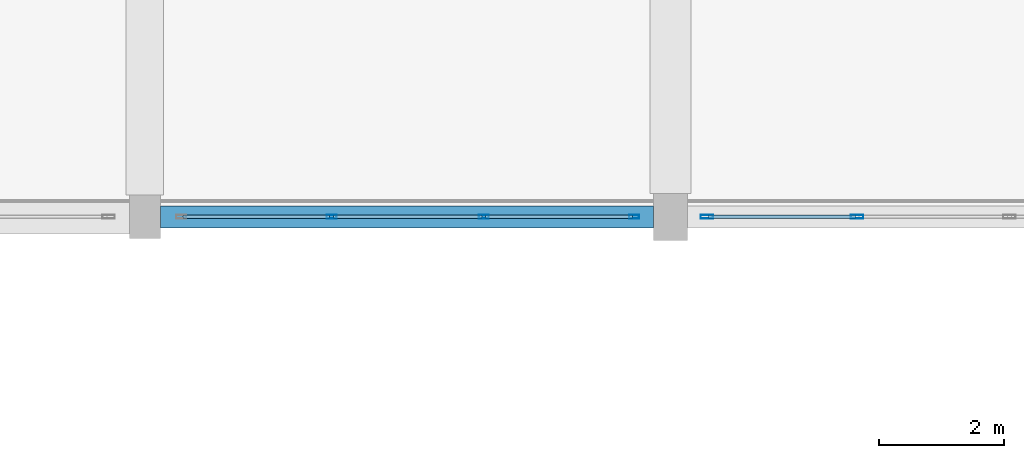
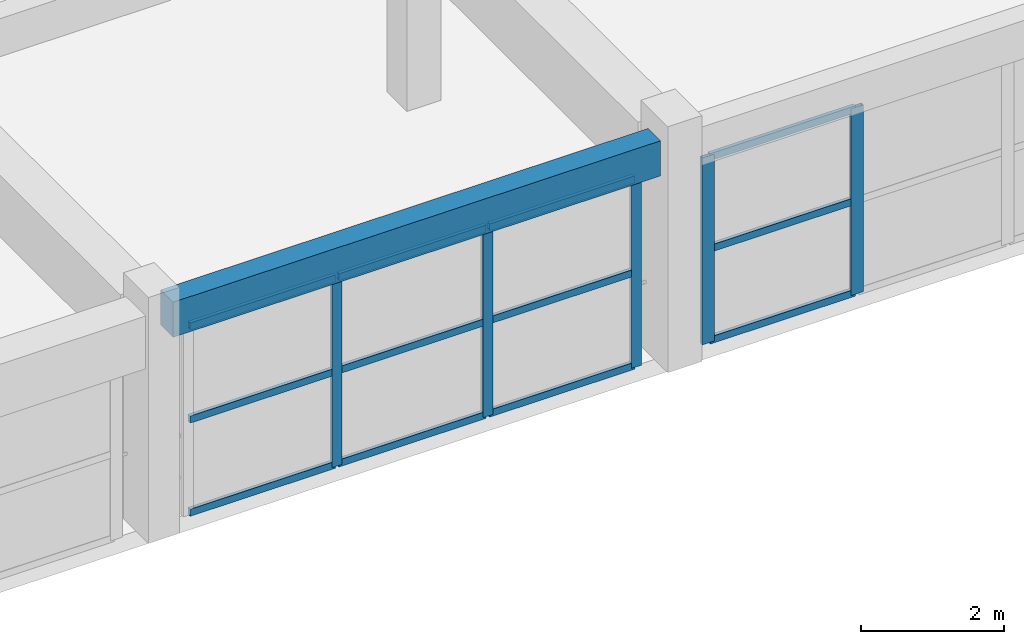
# One storey, part 16 of 74: 17 members, 1 beam, 2 elements without a shape of their own.
"""IFC4 building model written with IfcOpenShell, lengths in metres."""

from ifc_helpers import new_model, si_unit, direction, frame, origin, origin_2d, place, context, subcontext, project, spatial, rectangle, hollow_rectangle, extrude, material, material_profile, profile_set, type_object, element, aggregate, save


model = new_model("IFC4")

# Units and contexts
model_context = context("Model", 3, precision=1e-05, world=origin(), true_north=direction((0.0, 1.0)))
body_context = subcontext(model_context, "Body", "Model", "MODEL_VIEW")
ifc_project = project(units=[si_unit("LENGTHUNIT", "METRE"), si_unit("AREAUNIT", "SQUARE_METRE"), si_unit("VOLUMEUNIT", "CUBIC_METRE"), si_unit("PLANEANGLEUNIT", "RADIAN"), si_unit("MASSUNIT", "GRAM", prefix="KILO")], contexts=[model_context])

# Site, building, storey
site_placement = place(None, origin())
site = spatial("IfcSite", under=ifc_project, at=site_placement, CompositionType="ELEMENT")
building_placement = place(site_placement, origin())
building = spatial("IfcBuilding", under=site, at=building_placement, Name="Korsvaeld Concert Hall", CompositionType="ELEMENT")
storey_placement = place(building_placement, frame((0.0, 0.0, 9.0)))
storey = spatial("IfcBuildingStorey", under=building, at=storey_placement, Name="L02", CompositionType="ELEMENT", Elevation=9.0)

# Beam
ifc_material_1 = material(Name="Concrete C35/45", Category="concrete")
ifc_material_profile_1 = material_profile(ifc_material_1, rectangle(XDim=0.35009765625, YDim=0.60009765625, at=origin_2d()), Name="RC 350x600")
ifc_profile_set_1 = profile_set([ifc_material_profile_1], Name="Concrete C35/45")
beam_type = type_object("IfcBeamType", Name="BM-RC-350x600", PredefinedType="T_BEAM", material=ifc_profile_set_1)
beam_placement = place(storey_placement, frame((84.25, 28.800048828125, 3.5400390625), z_axis=(1.0, 0.0, 0.0), x_axis=(0.0, 1.0, 0.0)))
element("IfcBeam", 1, at=beam_placement, inside=storey, type_object=beam_type, Name="Primary girder 12-13/E L02", PredefinedType="T_BEAM", context=body_context, shape_type="SweptSolid", body=[
    extrude(rectangle(XDim=0.35009765625, YDim=0.60009765625, at=origin_2d()), origin(), (0.0, 0.0, 1.0), 7.875),
])

# Curtain wall, members
ifc_material_2 = material(Name="Anodised bronze and ceramic-fritted safety glass", Category="glass")
curtain_wall_type_1 = type_object("IfcCurtainWallType", Name="CW-TYPE-15", PredefinedType="USERDEFINED", material=ifc_material_2)
curtain_wall_1_placement = place(storey_placement, origin())
curtain_wall_1 = element("IfcCurtainWall", 2, at=curtain_wall_1_placement, inside=storey, type_object=curtain_wall_type_1, Name="Wintergarden foyer curtain wall L02-15", ObjectType="CURTAIN WALL", PredefinedType="USERDEFINED")
ifc_material_3 = material(Name="Anodised architectural bronze aluminium", Category="aluminium")
ifc_material_profile_2 = material_profile(ifc_material_3, hollow_rectangle(XDim=0.06005859375, YDim=0.159912109375, WallThickness=0.00390625, at=origin_2d()), Name="CWM 160x60x4")
ifc_profile_set_2 = profile_set([ifc_material_profile_2], Name="Anodised architectural bronze aluminium")
member_type_1 = type_object("IfcMemberType", Name="CWM-ALUM-160x60", PredefinedType="MULLION", material=ifc_profile_set_2)
member_1_placement = place(storey_placement, frame((91.820068359375, 28.800048828125, 0.0), z_axis=(0.0, 0.0, 1.0), x_axis=(0.0, -1.0, 0.0)))
member_1 = element("IfcMember", 3, at=member_1_placement, type_object=member_type_1, Name="CW-15 mullion 1", PredefinedType="MULLION", context=body_context, shape_type="SweptSolid", body=[
    extrude(hollow_rectangle(XDim=0.06005859375, YDim=0.159912109375, WallThickness=0.00390625, at=origin_2d()), origin(), (0.0, 0.0, 1.0), 3.239990234375),
])
member_2_placement = place(storey_placement, frame((89.416748046875, 28.800048828125, 0.0), z_axis=(0.0, 0.0, 1.0), x_axis=(0.0, -1.0, 0.0)))
member_2 = element("IfcMember", 4, at=member_2_placement, type_object=member_type_1, Name="CW-15 mullion 2", PredefinedType="MULLION", context=body_context, shape_type="SweptSolid", body=[
    extrude(hollow_rectangle(XDim=0.06005859375, YDim=0.159912109375, WallThickness=0.00390625, at=origin_2d()), origin(), (0.0, 0.0, 1.0), 3.239990234375),
])
member_3_placement = place(storey_placement, frame((86.9833984375, 28.800048828125, 0.0), z_axis=(0.0, 0.0, 1.0), x_axis=(0.0, -1.0, 0.0)))
member_3 = element("IfcMember", 5, at=member_3_placement, type_object=member_type_1, Name="CW-15 mullion 3", PredefinedType="MULLION", context=body_context, shape_type="SweptSolid", body=[
    extrude(hollow_rectangle(XDim=0.06005859375, YDim=0.159912109375, WallThickness=0.00390625, at=origin_2d()), origin(), (0.0, 0.0, 1.0), 3.239990234375),
])

curtain_wall_type_2 = type_object("IfcCurtainWallType", Name="CW-TYPE-14", PredefinedType="USERDEFINED", material=ifc_material_2)
curtain_wall_2_placement = place(storey_placement, origin())
curtain_wall_2 = element("IfcCurtainWall", 6, at=curtain_wall_2_placement, inside=storey, type_object=curtain_wall_type_2, Name="Wintergarden foyer curtain wall L02-14", ObjectType="CURTAIN WALL", PredefinedType="USERDEFINED")
ifc_material_profile_3 = material_profile(ifc_material_3, hollow_rectangle(XDim=0.06005859375, YDim=0.199951171875, WallThickness=0.0048828125, at=origin_2d()), Name="CWM 200x60x5")
ifc_profile_set_3 = profile_set([ifc_material_profile_3], Name="Anodised architectural bronze aluminium")
member_type_2 = type_object("IfcMemberType", Name="CWM-ALUM-200x60", PredefinedType="MULLION", material=ifc_profile_set_3)
member_4_placement = place(storey_placement, frame((95.38330078125, 28.800048828125, 0.0), z_axis=(0.0, 0.0, 1.0), x_axis=(0.0, -1.0, 0.0)))
member_4 = element("IfcMember", 7, at=member_4_placement, type_object=member_type_2, Name="CW-14 mullion 3", PredefinedType="MULLION", context=body_context, shape_type="SweptSolid", body=[
    extrude(hollow_rectangle(XDim=0.06005859375, YDim=0.199951171875, WallThickness=0.0048828125, at=origin_2d()), origin(), (0.0, 0.0, 1.0), 3.18994140625),
])
member_5_placement = place(storey_placement, frame((92.97998046875, 28.800048828125, 0.0), z_axis=(0.0, 0.0, 1.0), x_axis=(0.0, -1.0, 0.0)))
member_5 = element("IfcMember", 8, at=member_5_placement, type_object=member_type_2, Name="CW-14 mullion 4", PredefinedType="MULLION", context=body_context, shape_type="SweptSolid", body=[
    extrude(hollow_rectangle(XDim=0.06005859375, YDim=0.199951171875, WallThickness=0.0048828125, at=origin_2d()), origin(), (0.0, 0.0, 1.0), 3.18994140625),
])
ifc_material_profile_4 = material_profile(ifc_material_3, hollow_rectangle(XDim=0.06005859375, YDim=0.1201171875, WallThickness=0.00390625, at=origin_2d()), Name="CWT 120x60x4")
ifc_profile_set_4 = profile_set([ifc_material_profile_4], Name="Anodised architectural bronze aluminium")
member_type_3 = type_object("IfcMemberType", Name="CWT-ALUM-120x60", PredefinedType="USERDEFINED", material=ifc_profile_set_4)
member_6_placement = place(storey_placement, frame((95.353271484375, 28.800048828125, 0.030029296875), z_axis=(-1.0, 0.0, 0.0), x_axis=(0.0, -1.0, 0.0)))
member_6 = element("IfcMember", 9, at=member_6_placement, type_object=member_type_3, Name="CW-14 transom 3.1", ObjectType="TRANSOM", PredefinedType="USERDEFINED", context=body_context, shape_type="SweptSolid", body=[
    extrude(hollow_rectangle(XDim=0.06005859375, YDim=0.1201171875, WallThickness=0.00390625, at=origin_2d()), origin(), (0.0, 0.0, 1.0), 2.34326171875),
])
member_7_placement = place(storey_placement, frame((95.353271484375, 28.800048828125, 1.594970703125), z_axis=(-1.0, 0.0, 0.0), x_axis=(0.0, -1.0, 0.0)))
member_7 = element("IfcMember", 10, at=member_7_placement, type_object=member_type_3, Name="CW-14 transom 3.2", ObjectType="TRANSOM", PredefinedType="USERDEFINED", context=body_context, shape_type="SweptSolid", body=[
    extrude(hollow_rectangle(XDim=0.06005859375, YDim=0.1201171875, WallThickness=0.00390625, at=origin_2d()), origin(), (0.0, 0.0, 1.0), 2.34326171875),
])
member_8_placement = place(storey_placement, frame((95.353271484375, 28.800048828125, 3.159912109375), z_axis=(-1.0, 0.0, 0.0), x_axis=(0.0, -1.0, 0.0)))
member_8 = element("IfcMember", 11, at=member_8_placement, type_object=member_type_3, Name="CW-14 transom 3.3", ObjectType="TRANSOM", PredefinedType="USERDEFINED", context=body_context, shape_type="SweptSolid", body=[
    extrude(hollow_rectangle(XDim=0.06005859375, YDim=0.1201171875, WallThickness=0.00390625, at=origin_2d()), origin(), (0.0, 0.0, 1.0), 2.34326171875),
])
aggregate(curtain_wall_2, [member_4, member_5, member_6, member_7, member_8])

# Member
member_9_placement = place(storey_placement, frame((91.7900390625, 28.800048828125, 0.030029296875), z_axis=(-1.0, 0.0, 0.0), x_axis=(0.0, -1.0, 0.0)))
member_9 = element("IfcMember", 12, at=member_9_placement, type_object=member_type_3, Name="CW-15 transom 1.1", ObjectType="TRANSOM", PredefinedType="USERDEFINED", context=body_context, shape_type="SweptSolid", body=[
    extrude(hollow_rectangle(XDim=0.06005859375, YDim=0.1201171875, WallThickness=0.00390625, at=origin_2d()), origin(), (0.0, 0.0, 1.0), 2.34326171875),
])

member_10_placement = place(storey_placement, frame((91.7900390625, 28.800048828125, 1.6201171875), z_axis=(-1.0, 0.0, 0.0), x_axis=(0.0, -1.0, 0.0)))
member_10 = element("IfcMember", 13, at=member_10_placement, type_object=member_type_3, Name="CW-15 transom 1.2", ObjectType="TRANSOM", PredefinedType="USERDEFINED", context=body_context, shape_type="SweptSolid", body=[
    extrude(hollow_rectangle(XDim=0.06005859375, YDim=0.1201171875, WallThickness=0.00390625, at=origin_2d()), origin(), (0.0, 0.0, 1.0), 2.34326171875),
])

member_11_placement = place(storey_placement, frame((91.7900390625, 28.800048828125, 3.2099609375), z_axis=(-1.0, 0.0, 0.0), x_axis=(0.0, -1.0, 0.0)))
member_11 = element("IfcMember", 14, at=member_11_placement, type_object=member_type_3, Name="CW-15 transom 1.3", ObjectType="TRANSOM", PredefinedType="USERDEFINED", context=body_context, shape_type="SweptSolid", body=[
    extrude(hollow_rectangle(XDim=0.06005859375, YDim=0.1201171875, WallThickness=0.00390625, at=origin_2d()), origin(), (0.0, 0.0, 1.0), 2.34326171875),
])

member_12_placement = place(storey_placement, frame((89.38671875, 28.800048828125, 0.030029296875), z_axis=(-1.0, 0.0, 0.0), x_axis=(0.0, -1.0, 0.0)))
member_12 = element("IfcMember", 15, at=member_12_placement, type_object=member_type_3, Name="CW-15 transom 2.1", ObjectType="TRANSOM", PredefinedType="USERDEFINED", context=body_context, shape_type="SweptSolid", body=[
    extrude(hollow_rectangle(XDim=0.06005859375, YDim=0.1201171875, WallThickness=0.00390625, at=origin_2d()), origin(), (0.0, 0.0, 1.0), 2.373291015625),
])

member_13_placement = place(storey_placement, frame((89.38671875, 28.800048828125, 1.6201171875), z_axis=(-1.0, 0.0, 0.0), x_axis=(0.0, -1.0, 0.0)))
member_13 = element("IfcMember", 16, at=member_13_placement, type_object=member_type_3, Name="CW-15 transom 2.2", ObjectType="TRANSOM", PredefinedType="USERDEFINED", context=body_context, shape_type="SweptSolid", body=[
    extrude(hollow_rectangle(XDim=0.06005859375, YDim=0.1201171875, WallThickness=0.00390625, at=origin_2d()), origin(), (0.0, 0.0, 1.0), 2.373291015625),
])

member_14_placement = place(storey_placement, frame((89.38671875, 28.800048828125, 3.2099609375), z_axis=(-1.0, 0.0, 0.0), x_axis=(0.0, -1.0, 0.0)))
member_14 = element("IfcMember", 17, at=member_14_placement, type_object=member_type_3, Name="CW-15 transom 2.3", ObjectType="TRANSOM", PredefinedType="USERDEFINED", context=body_context, shape_type="SweptSolid", body=[
    extrude(hollow_rectangle(XDim=0.06005859375, YDim=0.1201171875, WallThickness=0.00390625, at=origin_2d()), origin(), (0.0, 0.0, 1.0), 2.373291015625),
])

member_15_placement = place(storey_placement, frame((86.953369140625, 28.800048828125, 0.030029296875), z_axis=(-1.0, 0.0, 0.0), x_axis=(0.0, -1.0, 0.0)))
member_15 = element("IfcMember", 18, at=member_15_placement, type_object=member_type_3, Name="CW-15 transom 3.1", ObjectType="TRANSOM", PredefinedType="USERDEFINED", context=body_context, shape_type="SweptSolid", body=[
    extrude(hollow_rectangle(XDim=0.06005859375, YDim=0.1201171875, WallThickness=0.00390625, at=origin_2d()), origin(), (0.0, 0.0, 1.0), 2.34326171875),
])

member_16_placement = place(storey_placement, frame((86.953369140625, 28.800048828125, 1.6201171875), z_axis=(-1.0, 0.0, 0.0), x_axis=(0.0, -1.0, 0.0)))
member_16 = element("IfcMember", 19, at=member_16_placement, type_object=member_type_3, Name="CW-15 transom 3.2", ObjectType="TRANSOM", PredefinedType="USERDEFINED", context=body_context, shape_type="SweptSolid", body=[
    extrude(hollow_rectangle(XDim=0.06005859375, YDim=0.1201171875, WallThickness=0.00390625, at=origin_2d()), origin(), (0.0, 0.0, 1.0), 2.34326171875),
])

member_17_placement = place(storey_placement, frame((86.953369140625, 28.800048828125, 3.2099609375), z_axis=(-1.0, 0.0, 0.0), x_axis=(0.0, -1.0, 0.0)))
member_17 = element("IfcMember", 20, at=member_17_placement, type_object=member_type_3, Name="CW-15 transom 3.3", ObjectType="TRANSOM", PredefinedType="USERDEFINED", context=body_context, shape_type="SweptSolid", body=[
    extrude(hollow_rectangle(XDim=0.06005859375, YDim=0.1201171875, WallThickness=0.00390625, at=origin_2d()), origin(), (0.0, 0.0, 1.0), 2.34326171875),
])

aggregate(curtain_wall_1, [member_1, member_2, member_3, member_9, member_10, member_11, member_12, member_13, member_14, member_15, member_16, member_17])

save(model, "model.ifc")
